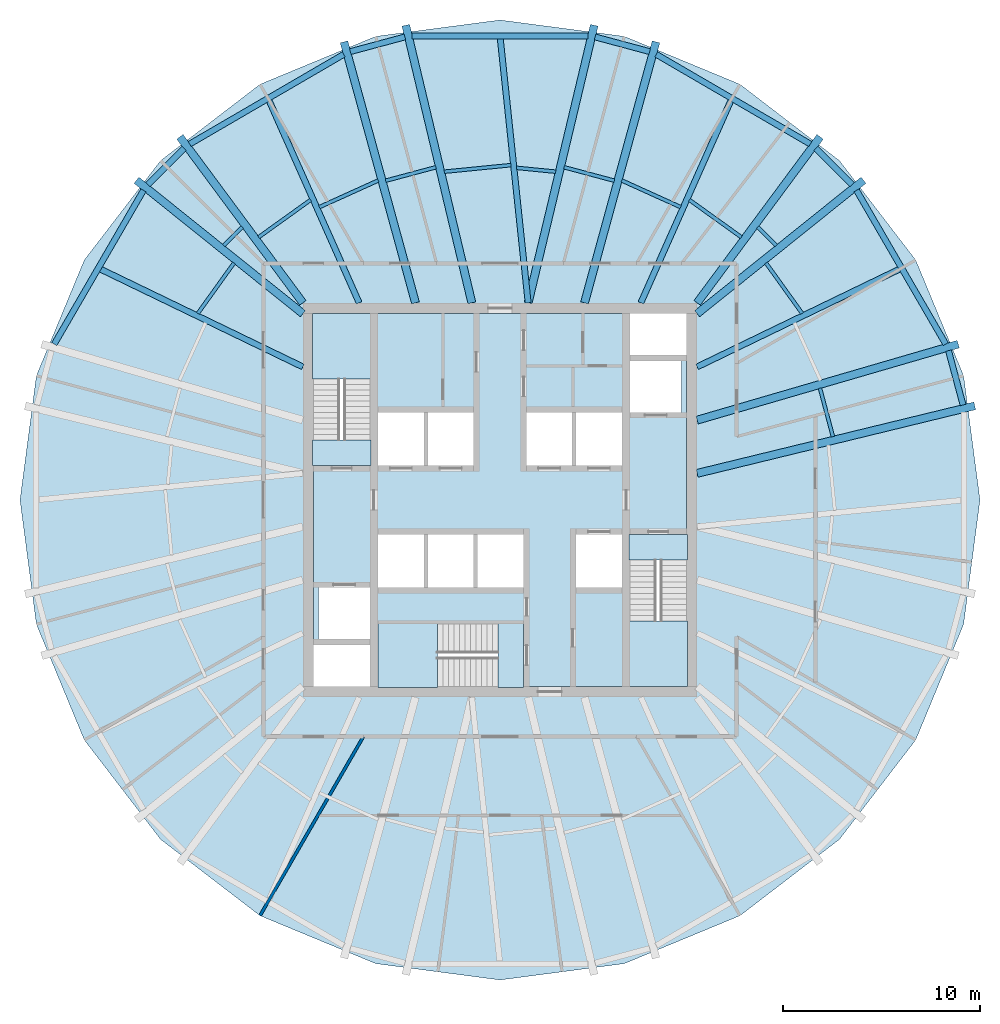
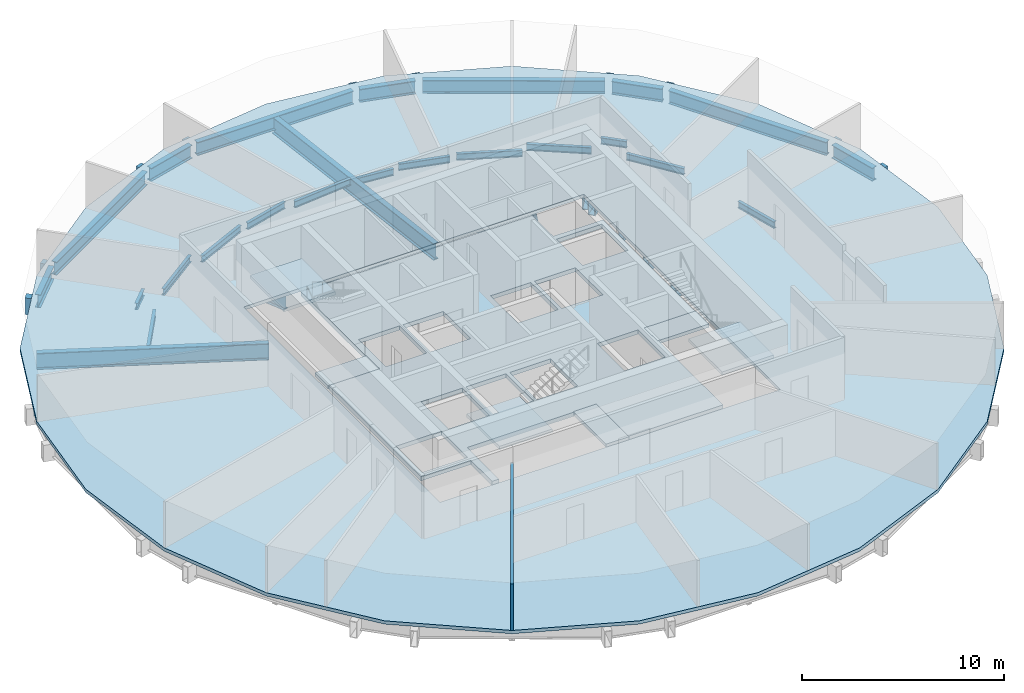
# One storey, part 2 of 6: 38 beams, 8 slabs, 1 wall, 3 elements without a shape of their own.
"""IFC4 building model written with IfcOpenShell, lengths in metres."""

from ifc_helpers import new_model, si_unit, direction, frame, frame_2d, origin, origin_2d, place, context, subcontext, project, spatial, polyline, rectangle, hollow_rectangle, i_section, outline, extrude, material, layer, layer_set, material_profile, profile_set, type_object, element, aggregate, save


model = new_model("IFC4")

# Units and contexts
model_context = context("Model", 3, precision=1e-05, world=origin(), true_north=direction((0.0, 1.0)))
body_context = subcontext(model_context, "Body", "Model", "MODEL_VIEW")
ifc_project = project(units=[si_unit("LENGTHUNIT", "METRE"), si_unit("AREAUNIT", "SQUARE_METRE"), si_unit("VOLUMEUNIT", "CUBIC_METRE"), si_unit("PLANEANGLEUNIT", "RADIAN"), si_unit("MASSUNIT", "GRAM", prefix="KILO")], contexts=[model_context])

# Site, building, storey
site_placement = place(None, origin())
site = spatial("IfcSite", under=ifc_project, at=site_placement, CompositionType="ELEMENT")
building_placement = place(site_placement, origin())
building = spatial("IfcBuilding", under=site, at=building_placement, Name="Golbaran Civic Tower", CompositionType="ELEMENT")
storey_placement = place(building_placement, frame((0.0, 0.0, 138.0)))
storey = spatial("IfcBuildingStorey", under=building, at=storey_placement, Name="L33", CompositionType="ELEMENT", Elevation=138.0)

# Beams
ifc_material_1 = material(Name="Steel S355", Category="steel")
ifc_material_profile_1 = material_profile(ifc_material_1, i_section(OverallWidth=0.300048828125, OverallDepth=0.800048828125, WebThickness=0.017578125, FlangeThickness=0.032958984375, FilletRadius=0.030029296875, at=origin_2d()), Name="HEB 800")
ifc_profile_set_1 = profile_set([ifc_material_profile_1], Name="Steel S355")
beam_type_1 = type_object("IfcBeamType", Name="EDGE BEAM HEB 800", PredefinedType="BEAM", material=ifc_profile_set_1)
beam_1_placement = place(storey_placement, frame((23.48583984375, 4.81689453125, -0.60009765625), z_axis=(-0.258908578438, 0.965901831457, 0.0), x_axis=(-0.965901831457, -0.258908578438, 0.0)))
element("IfcBeam", 1, at=beam_1_placement, inside=storey, type_object=beam_type_1, Name="Edge beam 11.28 L33", PredefinedType="BEAM", context=body_context, shape_type="SweptSolid", body=[
    extrude(i_section(OverallWidth=0.300048828125, OverallDepth=0.800048828125, WebThickness=0.017578125, FlangeThickness=0.032958984375, FilletRadius=0.030029296875, at=origin_2d()), origin(), (0.0, 0.0, 1.0), 2.853515625),
])
beam_2_placement = place(storey_placement, frame((22.607421875, 7.907470703125, -0.60009765625), z_axis=(-0.501847371809, 0.864956192769, 0.0), x_axis=(-0.864956192769, -0.501847371809, 0.0)))
element("IfcBeam", 2, at=beam_2_placement, inside=storey, type_object=beam_type_1, Name="Edge beam 18.72 L33", PredefinedType="BEAM", context=body_context, shape_type="SweptSolid", body=[
    extrude(i_section(OverallWidth=0.300048828125, OverallDepth=0.800048828125, WebThickness=0.017578125, FlangeThickness=0.032958984375, FilletRadius=0.030029296875, at=origin_2d()), origin(), (0.0, 0.0, 1.0), 9.01513671875),
])
beam_3_placement = place(storey_placement, frame((17.864013671875, 15.99072265625, -0.60009765625), z_axis=(-0.706449924406, 0.707763028355, 0.0), x_axis=(-0.707763028355, -0.706449924406, 0.0)))
element("IfcBeam", 3, at=beam_3_placement, inside=storey, type_object=beam_type_1, Name="Edge beam 41.28 L33", PredefinedType="BEAM", context=body_context, shape_type="SweptSolid", body=[
    extrude(i_section(OverallWidth=0.300048828125, OverallDepth=0.800048828125, WebThickness=0.017578125, FlangeThickness=0.032958984375, FilletRadius=0.030029296875, at=origin_2d()), origin(), (0.0, 0.0, 1.0), 2.60302734375),
])
beam_4_placement = place(storey_placement, frame((15.739990234375, 18.052978515625, -0.60009765625), z_axis=(-0.864287724773, 0.502997742348, 0.0), x_axis=(-0.502997742348, -0.864287724773, 0.0)))
element("IfcBeam", 4, at=beam_4_placement, inside=storey, type_object=beam_type_1, Name="Edge beam 48.72 L33", PredefinedType="BEAM", context=body_context, shape_type="SweptSolid", body=[
    extrude(i_section(OverallWidth=0.300048828125, OverallDepth=0.800048828125, WebThickness=0.017578125, FlangeThickness=0.032958984375, FilletRadius=0.030029296875, at=origin_2d()), origin(), (0.0, 0.0, 1.0), 9.04150390625),
])
beam_5_placement = place(storey_placement, frame((7.590576171875, 22.7412109375, -0.60009765625), z_axis=(-0.965771038449, 0.259396031761, 0.0), x_axis=(-0.259396031761, -0.965771038449, 0.0)))
element("IfcBeam", 5, at=beam_5_placement, inside=storey, type_object=beam_type_1, Name="Edge beam 71.28 L33", PredefinedType="BEAM", context=body_context, shape_type="SweptSolid", body=[
    extrude(i_section(OverallWidth=0.300048828125, OverallDepth=0.800048828125, WebThickness=0.017578125, FlangeThickness=0.032958984375, FilletRadius=0.030029296875, at=origin_2d()), origin(), (0.0, 0.0, 1.0), 2.865966796875),
])
beam_6_placement = place(storey_placement, frame((4.4638671875, 23.53125, -0.60009765625), z_axis=(-1.0, 0.0, 0.0), x_axis=(0.0, -1.0, 0.0)))
element("IfcBeam", 6, at=beam_6_placement, inside=storey, type_object=beam_type_1, Name="Edge beam 78.72 L33", PredefinedType="BEAM", context=body_context, shape_type="SweptSolid", body=[
    extrude(i_section(OverallWidth=0.300048828125, OverallDepth=0.800048828125, WebThickness=0.017578125, FlangeThickness=0.032958984375, FilletRadius=0.030029296875, at=origin_2d()), origin(), (0.0, 0.0, 1.0), 8.927734375),
])
beam_7_placement = place(storey_placement, frame((-4.82275390625, 23.484619140625, -0.60009765625), z_axis=(-0.965771038449, -0.259396031761, 0.0), x_axis=(0.259396031761, -0.965771038449, 0.0)))
element("IfcBeam", 7, at=beam_7_placement, inside=storey, type_object=beam_type_1, Name="Edge beam 101.28 L33", PredefinedType="BEAM", context=body_context, shape_type="SweptSolid", body=[
    extrude(i_section(OverallWidth=0.300048828125, OverallDepth=0.800048828125, WebThickness=0.017578125, FlangeThickness=0.032958984375, FilletRadius=0.030029296875, at=origin_2d()), origin(), (0.0, 0.0, 1.0), 2.865966796875),
])
beam_8_placement = place(storey_placement, frame((-7.925537109375, 22.600830078125, -0.60009765625), z_axis=(-0.864287724773, -0.502997742348, 0.0), x_axis=(0.502997742348, -0.864287724773, 0.0)))
element("IfcBeam", 8, at=beam_8_placement, inside=storey, type_object=beam_type_1, Name="Edge beam 108.72 L33", PredefinedType="BEAM", context=body_context, shape_type="SweptSolid", body=[
    extrude(i_section(OverallWidth=0.300048828125, OverallDepth=0.800048828125, WebThickness=0.017578125, FlangeThickness=0.032958984375, FilletRadius=0.030029296875, at=origin_2d()), origin(), (0.0, 0.0, 1.0), 9.04150390625),
])
beam_9_placement = place(storey_placement, frame((-16.025146484375, 17.8330078125, -0.60009765625), z_axis=(-0.706449924406, -0.707763028355, 0.0), x_axis=(0.707763028355, -0.706449924406, 0.0)))
element("IfcBeam", 9, at=beam_9_placement, inside=storey, type_object=beam_type_1, Name="Edge beam 131.28 L33", PredefinedType="BEAM", context=body_context, shape_type="SweptSolid", body=[
    extrude(i_section(OverallWidth=0.300048828125, OverallDepth=0.800048828125, WebThickness=0.017578125, FlangeThickness=0.032958984375, FilletRadius=0.030029296875, at=origin_2d()), origin(), (0.0, 0.0, 1.0), 2.60302734375),
])
beam_10_placement = place(storey_placement, frame((-18.083251953125, 15.705078125, -0.60009765625), z_axis=(-0.501847371809, -0.864956192769, 0.0), x_axis=(0.864956192769, -0.501847371809, 0.0)))
element("IfcBeam", 10, at=beam_10_placement, inside=storey, type_object=beam_type_1, Name="Edge beam 138.72 L33", PredefinedType="BEAM", context=body_context, shape_type="SweptSolid", body=[
    extrude(i_section(OverallWidth=0.300048828125, OverallDepth=0.800048828125, WebThickness=0.017578125, FlangeThickness=0.032958984375, FilletRadius=0.030029296875, at=origin_2d()), origin(), (0.0, 0.0, 1.0), 9.01513671875),
])
ifc_material_profile_2 = material_profile(ifc_material_1, i_section(OverallWidth=0.179931640625, OverallDepth=0.39990234375, WebThickness=0.008544921875, FlangeThickness=0.013427734375, FilletRadius=0.02099609375, at=origin_2d()), Name="IPE 400")
ifc_profile_set_2 = profile_set([ifc_material_profile_2], Name="Steel S355")
beam_type_2 = type_object("IfcBeamType", Name="FLOOR INFILL BEAM IPE 400", PredefinedType="BEAM", material=ifc_profile_set_2)
beam_11_placement = place(storey_placement, frame((16.88671875, 3.211181640625, -0.39990234375), z_axis=(-0.258806252731, 0.965929253904, 0.0), x_axis=(-0.965929253904, -0.258806252731, 0.0)))
element("IfcBeam", 11, at=beam_11_placement, inside=storey, type_object=beam_type_2, Name="Infill beam 15.00 L33", PredefinedType="BEAM", context=body_context, shape_type="SweptSolid", body=[
    extrude(i_section(OverallWidth=0.179931640625, OverallDepth=0.39990234375, WebThickness=0.008544921875, FlangeThickness=0.013427734375, FilletRadius=0.02099609375, at=origin_2d()), origin(), (0.0, 0.0, 1.0), 2.55078125),
])
beam_12_placement = place(storey_placement, frame((15.322509765625, 9.46630859375, -0.39990234375), z_axis=(-0.582684869159, 0.812698187061, 0.0), x_axis=(-0.812698187061, -0.582684869159, 0.0)))
element("IfcBeam", 12, at=beam_12_placement, inside=storey, type_object=beam_type_2, Name="Infill beam 35.64 L33", PredefinedType="BEAM", context=body_context, shape_type="SweptSolid", body=[
    extrude(i_section(OverallWidth=0.179931640625, OverallDepth=0.39990234375, WebThickness=0.008544921875, FlangeThickness=0.013427734375, FilletRadius=0.02099609375, at=origin_2d()), origin(), (0.0, 0.0, 1.0), 3.142822265625),
])
beam_13_placement = place(storey_placement, frame((14.02099609375, 12.9072265625, -0.39990234375), z_axis=(-0.707106781187, 0.707106781187, 0.0), x_axis=(-0.707106781187, -0.707106781187, 0.0)))
element("IfcBeam", 13, at=beam_13_placement, inside=storey, type_object=beam_type_2, Name="Infill beam 45.00 L33", PredefinedType="BEAM", context=body_context, shape_type="SweptSolid", body=[
    extrude(i_section(OverallWidth=0.179931640625, OverallDepth=0.39990234375, WebThickness=0.008544921875, FlangeThickness=0.013427734375, FilletRadius=0.02099609375, at=origin_2d()), origin(), (0.0, 0.0, 1.0), 1.33544921875),
])
beam_14_placement = place(storey_placement, frame((12.24169921875, 13.3291015625, -0.39990234375), z_axis=(-0.812708896014, 0.582669932586, 0.0), x_axis=(-0.582669932586, -0.812708896014, 0.0)))
element("IfcBeam", 14, at=beam_14_placement, inside=storey, type_object=beam_type_2, Name="Infill beam 54.36 L33", PredefinedType="BEAM", context=body_context, shape_type="SweptSolid", body=[
    extrude(i_section(OverallWidth=0.179931640625, OverallDepth=0.39990234375, WebThickness=0.008544921875, FlangeThickness=0.013427734375, FilletRadius=0.02099609375, at=origin_2d()), origin(), (0.0, 0.0, 1.0), 3.240234375),
])
beam_15_placement = place(storey_placement, frame((9.161865234375, 14.853515625, -0.39990234375), z_axis=(-0.910969479968, 0.412473764701, 0.0), x_axis=(-0.412473764701, -0.910969479968, 0.0)))
element("IfcBeam", 15, at=beam_15_placement, inside=storey, type_object=beam_type_2, Name="Infill beam 65.64 L33", PredefinedType="BEAM", context=body_context, shape_type="SweptSolid", body=[
    extrude(i_section(OverallWidth=0.179931640625, OverallDepth=0.39990234375, WebThickness=0.008544921875, FlangeThickness=0.013427734375, FilletRadius=0.02099609375, at=origin_2d()), origin(), (0.0, 0.0, 1.0), 3.28076171875),
])
beam_16_placement = place(storey_placement, frame((5.79638671875, 16.19384765625, -0.39990234375), z_axis=(-0.965919113545, 0.258844096103, 0.0), x_axis=(-0.258844096103, -0.965919113545, 0.0)))
element("IfcBeam", 16, at=beam_16_placement, inside=storey, type_object=beam_type_2, Name="Infill beam 75.00 L33", PredefinedType="BEAM", context=body_context, shape_type="SweptSolid", body=[
    extrude(i_section(OverallWidth=0.179931640625, OverallDepth=0.39990234375, WebThickness=0.008544921875, FlangeThickness=0.013427734375, FilletRadius=0.02099609375, at=origin_2d()), origin(), (0.0, 0.0, 1.0), 2.63623046875),
])
beam_17_placement = place(storey_placement, frame((2.826171875, 16.64990234375, -0.39990234375), z_axis=(-0.995157352004, 0.098294683235, 0.0), x_axis=(-0.098294683235, -0.995157352004, 0.0)))
element("IfcBeam", 17, at=beam_17_placement, inside=storey, type_object=beam_type_2, Name="Infill beam 84.36 L33", PredefinedType="BEAM", context=body_context, shape_type="SweptSolid", body=[
    extrude(i_section(OverallWidth=0.179931640625, OverallDepth=0.39990234375, WebThickness=0.008544921875, FlangeThickness=0.013427734375, FilletRadius=0.02099609375, at=origin_2d()), origin(), (0.0, 0.0, 1.0), 1.99951171875),
])
beam_18_placement = place(storey_placement, frame((0.560546875, 16.984375, -0.39990234375), z_axis=(-0.995158609024, -0.098281956053, 0.0), x_axis=(0.098281956053, -0.995158609024, 0.0)))
element("IfcBeam", 18, at=beam_18_placement, inside=storey, type_object=beam_type_2, Name="Infill beam 95.64 L33", PredefinedType="BEAM", context=body_context, shape_type="SweptSolid", body=[
    extrude(i_section(OverallWidth=0.179931640625, OverallDepth=0.39990234375, WebThickness=0.008544921875, FlangeThickness=0.013427734375, FilletRadius=0.02099609375, at=origin_2d()), origin(), (0.0, 0.0, 1.0), 3.403076171875),
])
beam_19_placement = place(storey_placement, frame((-3.25, 16.876220703125, -0.39990234375), z_axis=(-0.965919113545, -0.258844096103, 0.0), x_axis=(0.258844096103, -0.965919113545, 0.0)))
element("IfcBeam", 19, at=beam_19_placement, inside=storey, type_object=beam_type_2, Name="Infill beam 105.00 L33", PredefinedType="BEAM", context=body_context, shape_type="SweptSolid", body=[
    extrude(i_section(OverallWidth=0.179931640625, OverallDepth=0.39990234375, WebThickness=0.008544921875, FlangeThickness=0.013427734375, FilletRadius=0.02099609375, at=origin_2d()), origin(), (0.0, 0.0, 1.0), 2.63623046875),
])
beam_20_placement = place(storey_placement, frame((-6.173095703125, 16.206787109375, -0.39990234375), z_axis=(-0.910969479968, -0.412473764701, 0.0), x_axis=(0.412473764701, -0.910969479968, 0.0)))
element("IfcBeam", 20, at=beam_20_placement, inside=storey, type_object=beam_type_2, Name="Infill beam 114.36 L33", PredefinedType="BEAM", context=body_context, shape_type="SweptSolid", body=[
    extrude(i_section(OverallWidth=0.179931640625, OverallDepth=0.39990234375, WebThickness=0.008544921875, FlangeThickness=0.013427734375, FilletRadius=0.02099609375, at=origin_2d()), origin(), (0.0, 0.0, 1.0), 3.28076171875),
])
beam_21_placement = place(storey_placement, frame((-9.6083984375, 15.217041015625, -0.39990234375), z_axis=(-0.812708896014, -0.582669932586, 0.0), x_axis=(0.582669932586, -0.812708896014, 0.0)))
element("IfcBeam", 21, at=beam_21_placement, inside=storey, type_object=beam_type_2, Name="Infill beam 125.64 L33", PredefinedType="BEAM", context=body_context, shape_type="SweptSolid", body=[
    extrude(i_section(OverallWidth=0.179931640625, OverallDepth=0.39990234375, WebThickness=0.008544921875, FlangeThickness=0.013427734375, FilletRadius=0.02099609375, at=origin_2d()), origin(), (0.0, 0.0, 1.0), 3.240234375),
])
beam_22_placement = place(storey_placement, frame((-13.07666015625, 13.8515625, -0.39990234375), z_axis=(-0.707106781187, -0.707106781187, 0.0), x_axis=(0.707106781187, -0.707106781187, 0.0)))
element("IfcBeam", 22, at=beam_22_placement, inside=storey, type_object=beam_type_2, Name="Infill beam 135.00 L33", PredefinedType="BEAM", context=body_context, shape_type="SweptSolid", body=[
    extrude(i_section(OverallWidth=0.179931640625, OverallDepth=0.39990234375, WebThickness=0.008544921875, FlangeThickness=0.013427734375, FilletRadius=0.02099609375, at=origin_2d()), origin(), (0.0, 0.0, 1.0), 1.33544921875),
])
beam_23_placement = place(storey_placement, frame((-13.4912109375, 12.0205078125, -0.39990234375), z_axis=(-0.582684869159, -0.812698187061, 0.0), x_axis=(0.812698187061, -0.582684869159, 0.0)))
element("IfcBeam", 23, at=beam_23_placement, inside=storey, type_object=beam_type_2, Name="Infill beam 144.36 L33", PredefinedType="BEAM", context=body_context, shape_type="SweptSolid", body=[
    extrude(i_section(OverallWidth=0.179931640625, OverallDepth=0.39990234375, WebThickness=0.008544921875, FlangeThickness=0.013427734375, FilletRadius=0.02099609375, at=origin_2d()), origin(), (0.0, 0.0, 1.0), 3.142822265625),
])
ifc_material_profile_3 = material_profile(ifc_material_1, hollow_rectangle(XDim=0.39990234375, YDim=1.0, WallThickness=0.0400390625, at=origin_2d()), Name="BOX 1000x400x40")
ifc_profile_set_3 = profile_set([ifc_material_profile_3], Name="Steel S355")
beam_type_3 = type_object("IfcBeamType", Name="RADIAL FLOOR BEAM BOX 1000x400x40", PredefinedType="BEAM", material=ifc_profile_set_3)
beam_24_placement = place(storey_placement, frame((10.0, 1.35009765625, -0.7099609375), z_axis=(0.971646786921, 0.236437140624, 0.0), x_axis=(-0.236437140624, 0.971646786921, 0.0)))
element("IfcBeam", 24, at=beam_24_placement, inside=storey, type_object=beam_type_3, Name="Radial beam 11.28 L33", PredefinedType="BEAM", context=body_context, shape_type="SweptSolid", body=[
    extrude(hollow_rectangle(XDim=0.39990234375, YDim=1.0, WallThickness=0.0400390625, at=origin_2d()), origin(), (0.0, 0.0, 1.0), 14.4892578125),
])
beam_25_placement = place(storey_placement, frame((10.0, 4.050048828125, -0.7099609375), z_axis=(0.960149178727, 0.279488022264, 0.0), x_axis=(-0.279488022264, 0.960149178727, 0.0)))
element("IfcBeam", 25, at=beam_25_placement, inside=storey, type_object=beam_type_3, Name="Radial beam 18.72 L33", PredefinedType="BEAM", context=body_context, shape_type="SweptSolid", body=[
    extrude(hollow_rectangle(XDim=0.39990234375, YDim=1.0, WallThickness=0.0400390625, at=origin_2d()), origin(), (0.0, 0.0, 1.0), 13.78955078125),
])
beam_26_placement = place(storey_placement, frame((10.0, 9.449951171875, -0.7099609375), z_axis=(0.779956021203, 0.62583432711, 0.0), x_axis=(-0.62583432711, 0.779956021203, 0.0)))
element("IfcBeam", 26, at=beam_26_placement, inside=storey, type_object=beam_type_3, Name="Radial beam 41.28 L33", PredefinedType="BEAM", context=body_context, shape_type="SweptSolid", body=[
    extrude(hollow_rectangle(XDim=0.39990234375, YDim=1.0, WallThickness=0.0400390625, at=origin_2d()), origin(), (0.0, 0.0, 1.0), 10.81298828125),
])
beam_27_placement = place(storey_placement, frame((10.0, 10.0, -0.7099609375), z_axis=(0.595168479869, 0.803600946098, 0.0), x_axis=(-0.803600946098, 0.595168479869, 0.0)))
element("IfcBeam", 27, at=beam_27_placement, inside=storey, type_object=beam_type_3, Name="Radial beam 48.72 L33", PredefinedType="BEAM", context=body_context, shape_type="SweptSolid", body=[
    extrude(hollow_rectangle(XDim=0.39990234375, YDim=1.0, WallThickness=0.0400390625, at=origin_2d()), origin(), (0.0, 0.0, 1.0), 10.4775390625),
])
beam_28_placement = place(storey_placement, frame((4.28564453125, 10.0, -0.7099609375), z_axis=(0.264289774028, 0.964443318886, 0.0), x_axis=(-0.964443318886, 0.264289774028, 0.0)))
element("IfcBeam", 28, at=beam_28_placement, inside=storey, type_object=beam_type_3, Name="Radial beam 71.28 L33", PredefinedType="BEAM", context=body_context, shape_type="SweptSolid", body=[
    extrude(hollow_rectangle(XDim=0.39990234375, YDim=1.0, WallThickness=0.0400390625, at=origin_2d()), origin(), (0.0, 0.0, 1.0), 13.724365234375),
])
for number, where, z_axis, x_axis, name in (
    (29, (1.428466796875, 10.0, -0.7099609375), (0.231532335751, 0.97282720845, 0.0), (-0.97282720845, 0.231532335751, 0.0), "Radial beam 78.72 L33"),
    (30, (-1.428466796875, 10.0, -0.7099609375), (-0.231532335751, 0.97282720845, 0.0), (-0.97282720845, -0.231532335751, 0.0), "Radial beam 101.28 L33"),
):
    element("IfcBeam", number, at=place(storey_placement, frame(where, z_axis=z_axis, x_axis=x_axis)), inside=storey, type_object=beam_type_3, Name=name, PredefinedType="BEAM", context=body_context, shape_type="SweptSolid", body=[
        extrude(hollow_rectangle(XDim=0.39990234375, YDim=1.0, WallThickness=0.0400390625, at=origin_2d()), origin(), (0.0, 0.0, 1.0), 14.471435546875),
    ])
beam_29_placement = place(storey_placement, frame((-4.28564453125, 10.0, -0.7099609375), z_axis=(-0.264289774028, 0.964443318886, 0.0), x_axis=(-0.964443318886, -0.264289774028, 0.0)))
element("IfcBeam", 31, at=beam_29_placement, inside=storey, type_object=beam_type_3, Name="Radial beam 108.72 L33", PredefinedType="BEAM", context=body_context, shape_type="SweptSolid", body=[
    extrude(hollow_rectangle(XDim=0.39990234375, YDim=1.0, WallThickness=0.0400390625, at=origin_2d()), origin(), (0.0, 0.0, 1.0), 13.724365234375),
])
beam_30_placement = place(storey_placement, frame((-10.0, 10.0, -0.7099609375), z_axis=(-0.595168479869, 0.803600946098, 0.0), x_axis=(-0.803600946098, -0.595168479869, 0.0)))
element("IfcBeam", 32, at=beam_30_placement, inside=storey, type_object=beam_type_3, Name="Radial beam 131.28 L33", PredefinedType="BEAM", context=body_context, shape_type="SweptSolid", body=[
    extrude(hollow_rectangle(XDim=0.39990234375, YDim=1.0, WallThickness=0.0400390625, at=origin_2d()), origin(), (0.0, 0.0, 1.0), 10.4775390625),
])
beam_31_placement = place(storey_placement, frame((-10.0, 9.449951171875, -0.7099609375), z_axis=(-0.779956021203, 0.62583432711, 0.0), x_axis=(-0.62583432711, -0.779956021203, 0.0)))
element("IfcBeam", 33, at=beam_31_placement, inside=storey, type_object=beam_type_3, Name="Radial beam 138.72 L33", PredefinedType="BEAM", context=body_context, shape_type="SweptSolid", body=[
    extrude(hollow_rectangle(XDim=0.39990234375, YDim=1.0, WallThickness=0.0400390625, at=origin_2d()), origin(), (0.0, 0.0, 1.0), 10.81298828125),
])
ifc_material_profile_4 = material_profile(ifc_material_1, i_section(OverallWidth=0.300048828125, OverallDepth=1.0, WebThickness=0.01904296875, FlangeThickness=0.035888671875, FilletRadius=0.030029296875, at=origin_2d()), Name="HEB 1000")
ifc_profile_set_4 = profile_set([ifc_material_profile_4], Name="Steel S355")
beam_type_4 = type_object("IfcBeamType", Name="SECONDARY FLOOR BEAM HEB 1000", PredefinedType="BEAM", material=ifc_profile_set_4)
beam_32_placement = place(storey_placement, frame((10.0, 6.75, -0.7099609375), z_axis=(0.900394483529, 0.435074446538, 0.0), x_axis=(-0.435074446538, 0.900394483529, 0.0)))
element("IfcBeam", 34, at=beam_32_placement, inside=storey, type_object=beam_type_4, Name="Secondary beam 30.00 L33", PredefinedType="BEAM", context=body_context, shape_type="SweptSolid", body=[
    extrude(i_section(OverallWidth=0.300048828125, OverallDepth=1.0, WebThickness=0.01904296875, FlangeThickness=0.035888671875, FilletRadius=0.030029296875, at=origin_2d()), origin(), (0.0, 0.0, 1.0), 11.5185546875),
])
beam_33_placement = place(storey_placement, frame((7.142822265625, 10.0, -0.7099609375), z_axis=(0.406794932355, 0.913519503355, 0.0), x_axis=(-0.913519503355, 0.406794932355, 0.0)))
element("IfcBeam", 35, at=beam_33_placement, inside=storey, type_object=beam_type_4, Name="Secondary beam 60.00 L33", PredefinedType="BEAM", context=body_context, shape_type="SweptSolid", body=[
    extrude(i_section(OverallWidth=0.300048828125, OverallDepth=1.0, WebThickness=0.01904296875, FlangeThickness=0.035888671875, FilletRadius=0.030029296875, at=origin_2d()), origin(), (0.0, 0.0, 1.0), 11.350830078125),
])
beam_34_placement = place(storey_placement, frame((1.428466796875, 10.0, -0.7099609375), z_axis=(-0.104984600223, 0.994473847678, 0.0), x_axis=(-0.994473847678, -0.104984600223, 0.0)))
element("IfcBeam", 36, at=beam_34_placement, inside=storey, type_object=beam_type_4, Name="Secondary beam 90.00 L33", PredefinedType="BEAM", context=body_context, shape_type="SweptSolid", body=[
    extrude(i_section(OverallWidth=0.300048828125, OverallDepth=1.0, WebThickness=0.01904296875, FlangeThickness=0.035888671875, FilletRadius=0.030029296875, at=origin_2d()), origin(), (0.0, 0.0, 1.0), 13.6064453125),
])
beam_35_placement = place(storey_placement, frame((-7.142822265625, 10.0, -0.7099609375), z_axis=(-0.406794932355, 0.913519503355, 0.0), x_axis=(-0.913519503355, -0.406794932355, 0.0)))
element("IfcBeam", 37, at=beam_35_placement, inside=storey, type_object=beam_type_4, Name="Secondary beam 120.00 L33", PredefinedType="BEAM", context=body_context, shape_type="SweptSolid", body=[
    extrude(i_section(OverallWidth=0.300048828125, OverallDepth=1.0, WebThickness=0.01904296875, FlangeThickness=0.035888671875, FilletRadius=0.030029296875, at=origin_2d()), origin(), (0.0, 0.0, 1.0), 11.350830078125),
])
beam_36_placement = place(storey_placement, frame((-10.0, 6.75, -0.7099609375), z_axis=(-0.900394483529, 0.435074446538, 0.0), x_axis=(-0.435074446538, -0.900394483529, 0.0)))
element("IfcBeam", 38, at=beam_36_placement, inside=storey, type_object=beam_type_4, Name="Secondary beam 150.00 L33", PredefinedType="BEAM", context=body_context, shape_type="SweptSolid", body=[
    extrude(i_section(OverallWidth=0.300048828125, OverallDepth=1.0, WebThickness=0.01904296875, FlangeThickness=0.035888671875, FilletRadius=0.030029296875, at=origin_2d()), origin(), (0.0, 0.0, 1.0), 11.5185546875),
])

# Slabs
ifc_material_2 = material(Name="Concrete LC30/33 lightweight on steel deck", Category="concrete")
ifc_layer_1 = layer(ifc_material_2, 0.199951171875, Name="Concrete LC30/33 lightweight on steel deck")
ifc_layer_set_1 = layer_set([ifc_layer_1], Name="Concrete LC30/33 lightweight on steel deck")
slab_type_1 = type_object("IfcSlabType", Name="COMPOSITE FLOOR SLAB 200", PredefinedType="FLOOR", material=ifc_layer_set_1)
slab_1_placement = place(storey_placement, frame((0.0, 0.0, -0.199951171875)))
element("IfcSlab", 39, at=slab_1_placement, inside=storey, type_object=slab_type_1, Name="Floor slab L33", PredefinedType="FLOOR", context=body_context, shape_type="SweptSolid", body=[
    extrude(outline(polyline([(21.082763671875, -12.172119140625), (17.214111328125, -17.214111328125), (12.172119140625, -21.082763671875), (6.30078125, -23.514892578125), (0.0, -24.34423828125), (-6.30078125, -23.514892578125), (-12.172119140625, -21.082763671875), (-17.214111328125, -17.214111328125), (-21.082763671875, -12.172119140625), (-23.514892578125, -6.30078125), (-24.34423828125, 0.0), (-23.514892578125, 6.30078125), (-21.082763671875, 12.172119140625), (-17.214111328125, 17.214111328125), (-12.172119140625, 21.082763671875), (-6.30078125, 23.514892578125), (0.0, 24.34423828125), (6.30078125, 23.514892578125), (12.172119140625, 21.082763671875), (17.214111328125, 17.214111328125), (21.082763671875, 12.172119140625), (23.514892578125, 6.30078125), (24.34423828125, 0.0), (23.514892578125, -6.30078125), (21.082763671875, -12.172119140625)]), holes=[polyline([(-9.72509765625, 9.72509765625), (-9.72509765625, -9.72509765625), (9.72509765625, -9.72509765625), (9.72509765625, 9.72509765625), (-9.72509765625, 9.72509765625)])]), origin(), (0.0, 0.0, 1.0), 0.199951171875),
])
ifc_material_3 = material(Name="Concrete C35/45", Category="concrete")
ifc_layer_2 = layer(ifc_material_3, 0.25, Name="Concrete C35/45")
ifc_layer_set_2 = layer_set([ifc_layer_2], Name="Concrete C35/45")
slab_type_2 = type_object("IfcSlabType", Name="CORE FLOOR SLAB 250", PredefinedType="FLOOR", material=ifc_layer_set_2)
slab_2_placement = place(storey_placement, frame((0.0, 0.0, -0.25)))
element("IfcSlab", 40, at=slab_2_placement, inside=storey, type_object=slab_type_2, Name="Core floor slab L33", PredefinedType="FLOOR", context=body_context, shape_type="SweptSolid", body=[
    extrude(outline(polyline([(6.60009765625, -1.75), (6.60009765625, -9.449951171875), (1.199951171875, -9.449951171875), (1.199951171875, -6.300048828125), (-6.199951171875, -6.300048828125), (-6.199951171875, -9.449951171875), (-6.60009765625, -9.449951171875), (-6.60009765625, -7.35009765625), (-9.449951171875, -7.35009765625), (-9.449951171875, 1.75), (-6.60009765625, 1.75), (-6.60009765625, 9.449951171875), (6.60009765625, 9.449951171875), (6.60009765625, 7.35009765625), (9.449951171875, 7.35009765625), (9.449951171875, -1.75), (6.60009765625, -1.75)]), holes=[polyline([(9.199951171875, 7.050048828125), (6.60009765625, 7.050048828125), (6.60009765625, 4.449951171875), (9.199951171875, 4.449951171875), (9.199951171875, 7.050048828125)]), polyline([(6.199951171875, -1.75), (3.85009765625, -1.75), (3.85009765625, -4.449951171875), (6.199951171875, -4.449951171875), (6.199951171875, -1.75)]), polyline([(6.199951171875, 4.449951171875), (3.85009765625, 4.449951171875), (3.85009765625, 1.75), (6.199951171875, 1.75), (6.199951171875, 4.449951171875)]), polyline([(3.64990234375, 4.449951171875), (1.35009765625, 4.449951171875), (1.35009765625, 1.75), (3.64990234375, 1.75), (3.64990234375, 4.449951171875)]), polyline([(1.199951171875, -1.75), (-1.14990234375, -1.75), (-1.14990234375, -4.449951171875), (1.199951171875, -4.449951171875), (1.199951171875, -1.75)]), polyline([(-1.35009765625, 4.449951171875), (-3.64990234375, 4.449951171875), (-3.64990234375, 1.75), (-1.35009765625, 1.75), (-1.35009765625, 4.449951171875)]), polyline([(-1.35009765625, -1.75), (-3.64990234375, -1.75), (-3.64990234375, -4.449951171875), (-1.35009765625, -4.449951171875), (-1.35009765625, -1.75)]), polyline([(-3.85009765625, -1.75), (-6.199951171875, -1.75), (-6.199951171875, -4.449951171875), (-3.85009765625, -4.449951171875), (-3.85009765625, -1.75)]), polyline([(-3.85009765625, 4.449951171875), (-6.199951171875, 4.449951171875), (-6.199951171875, 1.75), (-3.85009765625, 1.75), (-3.85009765625, 4.449951171875)]), polyline([(-6.60009765625, -4.449951171875), (-9.199951171875, -4.449951171875), (-9.199951171875, -7.050048828125), (-6.60009765625, -7.050048828125), (-6.60009765625, -4.449951171875)])]), origin(), (0.0, 0.0, 1.0), 0.25),
])

# Stair, slab
stair_type_1 = type_object("IfcStairType", Name="EXIT STAIR 2850 x 7700, 4000 RISE", PredefinedType="HALF_TURN_STAIR", material=ifc_material_3)
stair_1_placement = place(storey_placement, origin())
stair_1 = element("IfcStair", 41, at=stair_1_placement, inside=storey, type_object=stair_type_1, Name="Stair S1 L33", PredefinedType="HALF_TURN_STAIR")
ifc_layer_3 = layer(ifc_material_3, 0.199951171875, Name="Concrete C35/45")
ifc_layer_set_3 = layer_set([ifc_layer_3], Name="Concrete C35/45")
slab_type_3 = type_object("IfcSlabType", Name="STAIR LANDING 200", PredefinedType="LANDING", material=ifc_layer_set_3)
slab_3_placement = place(storey_placement, frame((0.0, 0.0, 1.800048828125)))
slab_3 = element("IfcSlab", 42, at=slab_3_placement, type_object=slab_type_3, Name="ST28577-40 landing 1", PredefinedType="LANDING", context=body_context, shape_type="SweptSolid", body=[
    extrude(outline(polyline([(-9.5, 6.125), (-9.5, 9.449951171875), (-6.550048828125, 9.449951171875), (-6.550048828125, 6.125), (-9.5, 6.125)])), origin(), (0.0, 0.0, 1.0), 0.199951171875),
])
aggregate(stair_1, [slab_3])

# Slab
slab_4_placement = place(storey_placement, frame((0.0, 0.0, -0.199951171875)))
element("IfcSlab", 43, at=slab_4_placement, inside=storey, type_object=slab_type_3, Name="Stair S1 floor landing L33", PredefinedType="LANDING", context=body_context, shape_type="SweptSolid", body=[
    extrude(outline(polyline([(-9.5, 1.75), (-9.5, 3.054931640625), (-6.550048828125, 3.054931640625), (-6.550048828125, 1.75), (-9.5, 1.75)])), origin(), (0.0, 0.0, 1.0), 0.199951171875),
])

# Stair, slab
stair_2_placement = place(storey_placement, origin())
stair_2 = element("IfcStair", 44, at=stair_2_placement, inside=storey, type_object=stair_type_1, Name="Stair S2 L33", PredefinedType="HALF_TURN_STAIR")
slab_5_placement = place(storey_placement, frame((0.0, 0.0, 1.800048828125)))
slab_5 = element("IfcSlab", 45, at=slab_5_placement, type_object=slab_type_3, Name="ST28577-40 landing 1", PredefinedType="LANDING", context=body_context, shape_type="SweptSolid", body=[
    extrude(outline(polyline([(9.5, -6.125), (9.5, -9.449951171875), (6.550048828125, -9.449951171875), (6.550048828125, -6.125), (9.5, -6.125)])), origin(), (0.0, 0.0, 1.0), 0.199951171875),
])
aggregate(stair_2, [slab_5])

# Slab
slab_6_placement = place(storey_placement, frame((0.0, 0.0, -0.199951171875)))
element("IfcSlab", 46, at=slab_6_placement, inside=storey, type_object=slab_type_3, Name="Stair S2 floor landing L33", PredefinedType="LANDING", context=body_context, shape_type="SweptSolid", body=[
    extrude(outline(polyline([(9.5, -1.75), (9.5, -3.054931640625), (6.550048828125, -3.054931640625), (6.550048828125, -1.75), (9.5, -1.75)])), origin(), (0.0, 0.0, 1.0), 0.199951171875),
])

# Stair, slab
stair_type_2 = type_object("IfcStairType", Name="EXIT STAIR 3150 x 7400, 4000 RISE", PredefinedType="HALF_TURN_STAIR", material=ifc_material_3)
stair_3_placement = place(storey_placement, origin())
stair_3 = element("IfcStair", 47, at=stair_3_placement, inside=storey, type_object=stair_type_2, Name="Stair S3 L33", PredefinedType="HALF_TURN_STAIR")
slab_7_placement = place(storey_placement, frame((0.0, 0.0, 1.800048828125)))
slab_7 = element("IfcSlab", 48, at=slab_7_placement, type_object=slab_type_3, Name="ST31574-40 landing 1", PredefinedType="LANDING", context=body_context, shape_type="SweptSolid", body=[
    extrude(outline(polyline([(-3.175048828125, -9.5), (-6.199951171875, -9.5), (-6.199951171875, -6.25), (-3.175048828125, -6.25), (-3.175048828125, -9.5)])), origin(), (0.0, 0.0, 1.0), 0.199951171875),
])
aggregate(stair_3, [slab_7])

# Slab
slab_8_placement = place(storey_placement, frame((0.0, 0.0, -0.199951171875)))
element("IfcSlab", 49, at=slab_8_placement, inside=storey, type_object=slab_type_3, Name="Stair S3 floor landing L33", PredefinedType="LANDING", context=body_context, shape_type="SweptSolid", body=[
    extrude(outline(polyline([(1.199951171875, -9.5), (-0.10498046875, -9.5), (-0.10498046875, -6.25), (1.199951171875, -6.25), (1.199951171875, -9.5)])), origin(), (0.0, 0.0, 1.0), 0.199951171875),
])

# Wall
ifc_material_4 = material(Name="Gypsum board on steel studs", Category="steel")
ifc_layer_4 = layer(ifc_material_4, 0.14990234375, Name="Gypsum board on steel studs")
ifc_layer_set_4 = layer_set([ifc_layer_4], Name="Gypsum board on steel studs")
wall_type = type_object("IfcWallType", Name="OFFICE PARTITION 150", PredefinedType="PARTITIONING", material=ifc_layer_set_4)
wall_placement = place(storey_placement, frame((-6.92822265625, -12.0, 0.0), z_axis=(0.0, 0.0, 1.0), x_axis=(-0.49999340367, -0.866029212144, 0.0)))
element("IfcWall", 50, at=wall_placement, inside=storey, type_object=wall_type, Name="Partition 240 L33", PredefinedType="PARTITIONING", context=body_context, shape_type="SweptSolid", body=[
    extrude(rectangle(XDim=10.477783203125, YDim=0.14990234375, at=frame_2d((5.23876953125, 0.0))), origin(), (0.0, 0.0, 1.0), 2.7900390625),
])

save(model, "model.ifc")
